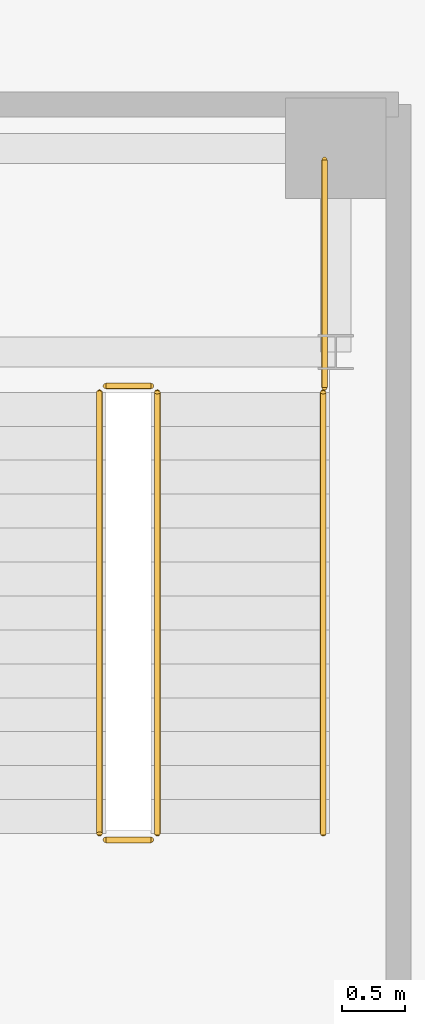
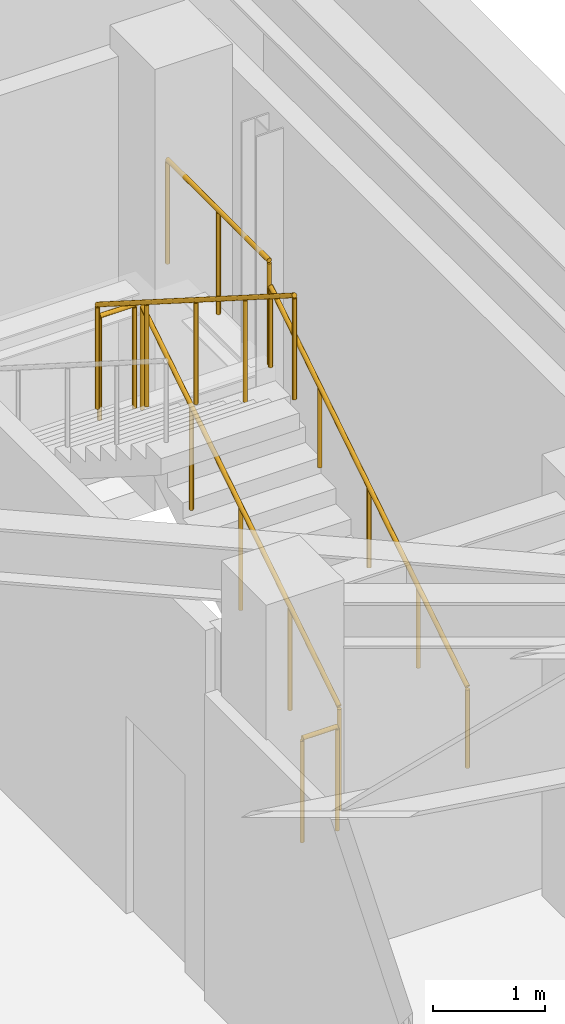
# One storey, part 18 of 18: 6 railings.
"""IFC4 building model written with IfcOpenShell, lengths in metres."""

from ifc_helpers import new_model, si_unit, direction, frame, origin, origin_2d, place, context, subcontext, project, spatial, circle, extrude, material, layer, layer_set, type_object, element, save


model = new_model("IFC4")

# Units and contexts
model_context = context("Model", 3, precision=1e-05, world=origin(), true_north=direction((0.0, 1.0)))
body_context = subcontext(model_context, "Body", "Model", "MODEL_VIEW")
ifc_project = project(units=[si_unit("LENGTHUNIT", "METRE"), si_unit("AREAUNIT", "SQUARE_METRE"), si_unit("VOLUMEUNIT", "CUBIC_METRE"), si_unit("PLANEANGLEUNIT", "RADIAN"), si_unit("MASSUNIT", "GRAM", prefix="KILO")], contexts=[model_context])

# Site, building, storey
site_placement = place(None, origin())
site = spatial("IfcSite", under=ifc_project, at=site_placement, CompositionType="ELEMENT")
building_placement = place(site_placement, origin())
building = spatial("IfcBuilding", under=site, at=building_placement, Name="Terralouvre Media Tower", CompositionType="ELEMENT")
storey_placement = place(building_placement, frame((0.0, 0.0, -4.800048828125)))
storey = spatial("IfcBuildingStorey", under=building, at=storey_placement, Name="B01", CompositionType="ELEMENT", Elevation=-4.800048828125)

# Railings
ifc_material_1 = material(Name="Stainless steel 316 handrail and balustrade", Category="steel")
ifc_layer_1 = layer(ifc_material_1, 0.050048828125, Name="Stair Flight Wall Handrail HR-INT1")
ifc_layer_set_1 = layer_set([ifc_layer_1], Name="Stainless steel 316 handrail and balustrade")
railing_type_1 = type_object("IfcRailingType", Name="Stair Flight Wall Handrail HR-INT1", PredefinedType="HANDRAIL", material=ifc_layer_set_1)
railing_1_placement = place(storey_placement, frame((34.14990234375, 5.85009765625, 0.17138671875)))
element("IfcRailing", 1, at=railing_1_placement, inside=storey, type_object=railing_type_1, Name="B01 ST-04 stair handrail 1", PredefinedType="HANDRAIL", context=body_context, shape_type="SweptSolid", body=[
    extrude(circle(Radius=0.02392578125, at=origin_2d()), frame((0.0, 0.0, 0.8759765625), z_axis=(0.0, 0.844192992368, 0.536039356425), x_axis=(-1.0, 0.0, 0.0)), (0.0, 0.0, 1.0), 4.15771484375),
    extrude(circle(Radius=0.02099609375, at=origin_2d()), origin(), (0.0, 0.0, 1.0), 0.851806640625),
    extrude(circle(Radius=0.02099609375, at=origin_2d()), frame((0.0, 0.87744140625, 0.55712890625)), (0.0, 0.0, 1.0), 0.851806640625),
    extrude(circle(Radius=0.02099609375, at=origin_2d()), frame((0.0, 1.7548828125, 1.1142578125)), (0.0, 0.0, 1.0), 0.851806640625),
    extrude(circle(Radius=0.02099609375, at=origin_2d()), frame((0.0, 2.632568359375, 1.671630859375)), (0.0, 0.0, 1.0), 0.851806640625),
    extrude(circle(Radius=0.02099609375, at=origin_2d()), frame((0.0, 3.510009765625, 2.228759765625)), (0.0, 0.0, 1.0), 0.851806640625),
])
ifc_material_2 = material(Name="Stainless steel 316 handrail and balustrade", Category="steel")
ifc_layer_2 = layer(ifc_material_2, 0.050048828125, Name="Stairwell Safety Guardrail GR-INT1")
ifc_layer_set_2 = layer_set([ifc_layer_2], Name="Stainless steel 316 handrail and balustrade")
railing_type_2 = type_object("IfcRailingType", Name="Stairwell Safety Guardrail GR-INT1", PredefinedType="GUARDRAIL", material=ifc_layer_set_2)
railing_2_placement = place(storey_placement, frame((32.830078125, 5.85009765625, 0.17138671875)))
element("IfcRailing", 2, at=railing_2_placement, inside=storey, type_object=railing_type_2, Name="B01 ST-04 stair guard 1", PredefinedType="GUARDRAIL", context=body_context, shape_type="SweptSolid", body=[
    extrude(circle(Radius=0.02392578125, at=origin_2d()), frame((0.0, 0.0, 1.1259765625), z_axis=(0.0, 0.844192992368, 0.536039356425), x_axis=(-1.0, 0.0, 0.0)), (0.0, 0.0, 1.0), 4.15771484375),
    extrude(circle(Radius=0.02099609375, at=origin_2d()), origin(), (0.0, 0.0, 1.0), 1.101806640625),
    extrude(circle(Radius=0.02099609375, at=origin_2d()), frame((0.0, 0.87744140625, 0.55712890625)), (0.0, 0.0, 1.0), 1.101806640625),
    extrude(circle(Radius=0.02099609375, at=origin_2d()), frame((0.0, 1.7548828125, 1.1142578125)), (0.0, 0.0, 1.0), 1.101806640625),
    extrude(circle(Radius=0.02099609375, at=origin_2d()), frame((0.0, 2.632568359375, 1.671630859375)), (0.0, 0.0, 1.0), 1.101806640625),
    extrude(circle(Radius=0.02099609375, at=origin_2d()), frame((0.0, 3.510009765625, 2.228759765625)), (0.0, 0.0, 1.0), 1.101806640625),
])
railing_3_placement = place(storey_placement, frame((32.780029296875, 9.409912109375, 2.400146484375)))
element("IfcRailing", 3, at=railing_3_placement, inside=storey, type_object=railing_type_2, Name="B01 ST-04 stair guard 2", PredefinedType="GUARDRAIL", context=body_context, shape_type="SweptSolid", body=[
    extrude(circle(Radius=0.02392578125, at=origin_2d()), frame((0.0, 0.0, 1.1259765625), z_axis=(-1.0, 0.0, 0.0), x_axis=(0.0, -1.0, 0.0)), (0.0, 0.0, 1.0), 0.360107421875),
    extrude(circle(Radius=0.02099609375, at=origin_2d()), origin(), (0.0, 0.0, 1.0), 1.101806640625),
    extrude(circle(Radius=0.02099609375, at=origin_2d()), frame((-0.360107421875, 0.0, 0.0)), (0.0, 0.0, 1.0), 1.101806640625),
])
railing_4_placement = place(storey_placement, frame((32.3701171875, 9.360107421875, 2.571533203125)))
element("IfcRailing", 4, at=railing_4_placement, inside=storey, type_object=railing_type_2, Name="B01 ST-04 stair guard 3", PredefinedType="GUARDRAIL", context=body_context, shape_type="SweptSolid", body=[
    extrude(circle(Radius=0.02392578125, at=origin_2d()), frame((0.0, 0.0, 1.1259765625), z_axis=(0.0, -0.844219563411, 0.53599750816), x_axis=(1.0, 0.0, 0.0)), (0.0, 0.0, 1.0), 4.15771484375),
    extrude(circle(Radius=0.02099609375, at=origin_2d()), origin(), (0.0, 0.0, 1.0), 1.101806640625),
    extrude(circle(Radius=0.02099609375, at=origin_2d()), frame((0.0, -0.87744140625, 0.55712890625)), (0.0, 0.0, 1.0), 1.101806640625),
    extrude(circle(Radius=0.02099609375, at=origin_2d()), frame((0.0, -1.7548828125, 1.1142578125)), (0.0, 0.0, 1.0), 1.101806640625),
    extrude(circle(Radius=0.02099609375, at=origin_2d()), frame((0.0, -2.632568359375, 1.67138671875)), (0.0, 0.0, 1.0), 1.101806640625),
    extrude(circle(Radius=0.02099609375, at=origin_2d()), frame((0.0, -3.510009765625, 2.228515625)), (0.0, 0.0, 1.0), 1.101806640625),
])
railing_5_placement = place(storey_placement, frame((32.780029296875, 5.800048828125, 0.0)))
element("IfcRailing", 5, at=railing_5_placement, inside=storey, type_object=railing_type_2, Name="B01 ST-04 stair guard 4", PredefinedType="GUARDRAIL", context=body_context, shape_type="SweptSolid", body=[
    extrude(circle(Radius=0.02392578125, at=origin_2d()), frame((0.0, 0.0, 1.1259765625), z_axis=(-1.0, 0.0, 0.0), x_axis=(0.0, -1.0, 0.0)), (0.0, 0.0, 1.0), 0.360107421875),
    extrude(circle(Radius=0.02099609375, at=origin_2d()), origin(), (0.0, 0.0, 1.0), 1.101806640625),
    extrude(circle(Radius=0.02099609375, at=origin_2d()), frame((-0.360107421875, 0.0, 0.0)), (0.0, 0.0, 1.0), 1.101806640625),
])
railing_6_placement = place(storey_placement, frame((34.159912109375, 9.39990234375, 2.400146484375)))
element("IfcRailing", 6, at=railing_6_placement, inside=storey, type_object=railing_type_2, Name="B01 ST-04 Half-Landing Outer Guardrail", PredefinedType="GUARDRAIL", context=body_context, shape_type="SweptSolid", body=[
    extrude(circle(Radius=0.02392578125, at=origin_2d()), frame((0.0, 0.0, 1.1259765625), z_axis=(0.0, 1.0, 0.0), x_axis=(-1.0, 0.0, 0.0)), (0.0, 0.0, 1.0), 1.81005859375),
    extrude(circle(Radius=0.02099609375, at=origin_2d()), origin(), (0.0, 0.0, 1.0), 1.101806640625),
    extrude(circle(Radius=0.02099609375, at=origin_2d()), frame((0.0, 0.905029296875, 0.0)), (0.0, 0.0, 1.0), 1.101806640625),
    extrude(circle(Radius=0.02099609375, at=origin_2d()), frame((0.0, 1.81005859375, 0.0)), (0.0, 0.0, 1.0), 1.101806640625),
])

save(model, "model.ifc")
